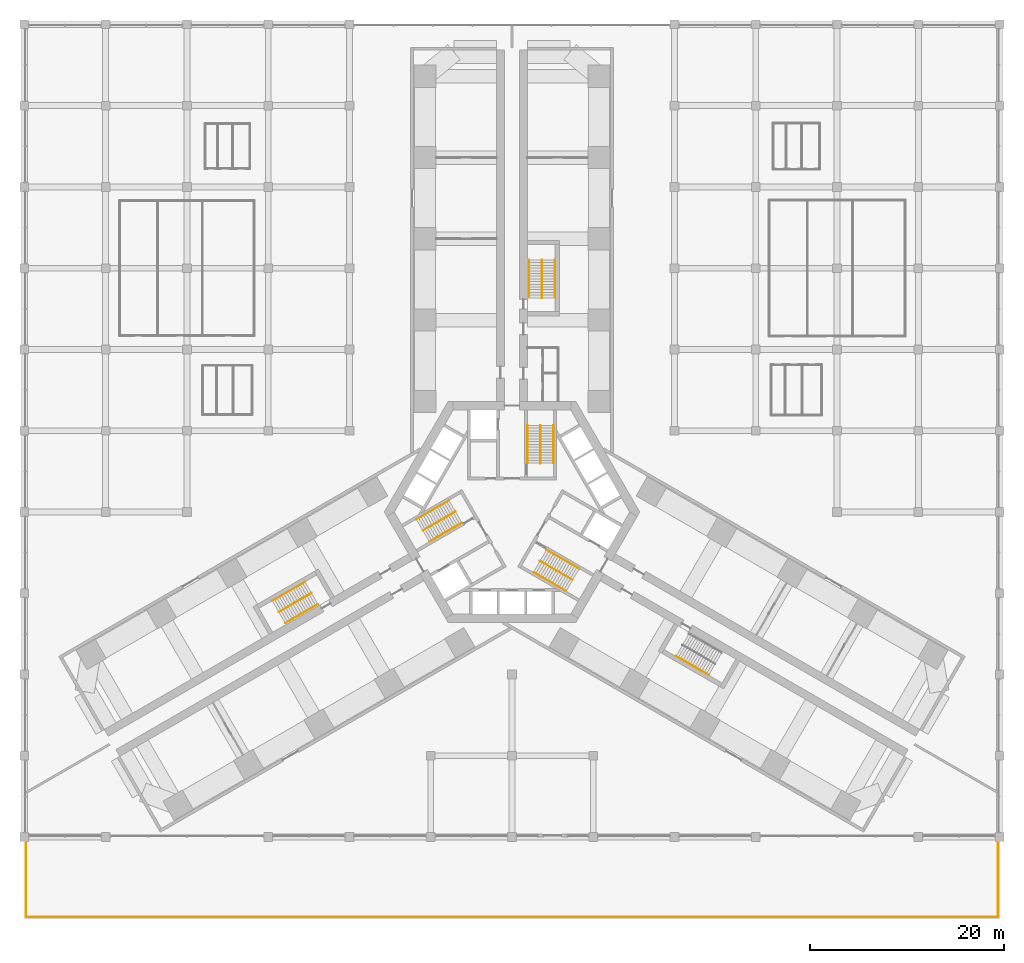
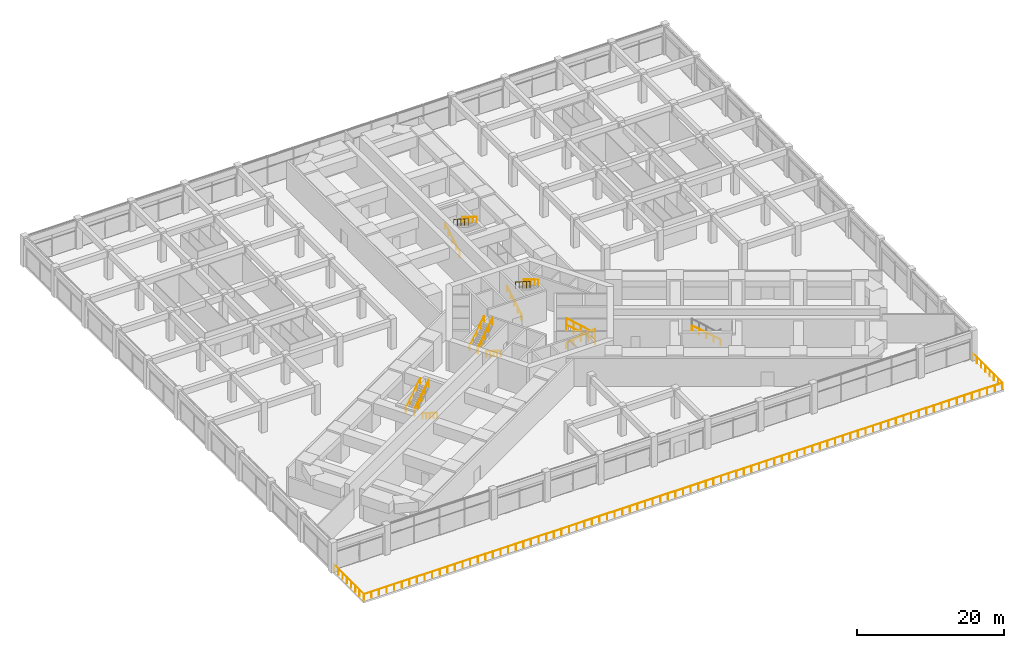
# One storey, part 35 of 36: 17 railings.
"""IFC4 building model written with IfcOpenShell, lengths in metres."""

from ifc_helpers import new_model, si_unit, direction, frame, origin, origin_2d, place, context, subcontext, project, spatial, circle, extrude, material, type_object, element, save


model = new_model("IFC4")

# Units and contexts
model_context = context("Model", 3, precision=1e-05, world=origin(), true_north=direction((0.0, 1.0)))
body_context = subcontext(model_context, "Body", "Model", "MODEL_VIEW")
ifc_project = project(units=[si_unit("LENGTHUNIT", "METRE"), si_unit("AREAUNIT", "SQUARE_METRE"), si_unit("VOLUMEUNIT", "CUBIC_METRE"), si_unit("PLANEANGLEUNIT", "RADIAN"), si_unit("MASSUNIT", "GRAM", prefix="KILO")], contexts=[model_context])

# Site, building, storey
site_placement = place(None, origin())
site = spatial("IfcSite", under=ifc_project, at=site_placement, CompositionType="ELEMENT")
building_placement = place(site_placement, origin())
building = spatial("IfcBuilding", under=site, at=building_placement, Name="Impinga Residences", CompositionType="ELEMENT")
storey_placement = place(building_placement, frame((0.0, 0.0, 6.0)))
storey = spatial("IfcBuildingStorey", under=building, at=storey_placement, Name="L01", CompositionType="ELEMENT", Elevation=6.0)

# Railings
ifc_material_1 = material(Name="Steel guard, powder coated", Category="steel")
railing_type_1 = type_object("IfcRailingType", Name="GR1 stair guard 1100", PredefinedType="GUARDRAIL", material=ifc_material_1)
railing_1_placement = place(storey_placement, frame((2.949951171875, 8.949951171875, 2.5)))
element("IfcRailing", 1, at=railing_1_placement, inside=storey, type_object=railing_type_1, Name="Stair guard GR1 ST1 L01", PredefinedType="GUARDRAIL", context=body_context, shape_type="SweptSolid", body=[
    extrude(circle(Radius=0.02392578125, at=origin_2d()), frame((0.0, 0.0, 1.076171875), z_axis=(0.0, -0.843124831705, 0.537717879712), x_axis=(1.0, 0.0, 0.0)), (0.0, 0.0, 1.0), 4.649169921875),
    extrude(circle(Radius=0.02099609375, at=origin_2d()), origin(), (0.0, 0.0, 1.0), 1.052001953125),
    extrude(circle(Radius=0.02099609375, at=origin_2d()), frame((0.0, -0.97998046875, 0.625)), (0.0, 0.0, 1.0), 1.052001953125),
    extrude(circle(Radius=0.02099609375, at=origin_2d()), frame((0.0, -1.9599609375, 1.25)), (0.0, 0.0, 1.0), 1.052001953125),
    extrude(circle(Radius=0.02099609375, at=origin_2d()), frame((0.0, -2.93994140625, 1.875)), (0.0, 0.0, 1.0), 1.052001953125),
    extrude(circle(Radius=0.02099609375, at=origin_2d()), frame((0.0, -3.919921875, 2.5)), (0.0, 0.0, 1.0), 1.052001953125),
])
railing_2_placement = place(storey_placement, frame((-9.225830078125, -1.920166015625, 2.5)))
element("IfcRailing", 2, at=railing_2_placement, inside=storey, type_object=railing_type_1, Name="Stair guard GR1 ST2 L01", PredefinedType="GUARDRAIL", context=body_context, shape_type="SweptSolid", body=[
    extrude(circle(Radius=0.02392578125, at=origin_2d()), frame((0.0, 0.0, 1.076171875), z_axis=(0.730169879136, 0.421560862259, 0.537715898048), x_axis=(-0.499997407846, 0.86602690036, 0.0)), (0.0, 0.0, 1.0), 4.6494140625),
    extrude(circle(Radius=0.02099609375, at=origin_2d()), origin(), (0.0, 0.0, 1.0), 1.052001953125),
    extrude(circle(Radius=0.02099609375, at=origin_2d()), frame((0.8486328125, 0.489990234375, 0.625)), (0.0, 0.0, 1.0), 1.052001953125),
    extrude(circle(Radius=0.02099609375, at=origin_2d()), frame((1.697265625, 0.97998046875, 1.25)), (0.0, 0.0, 1.0), 1.052001953125),
    extrude(circle(Radius=0.02099609375, at=origin_2d()), frame((2.546142578125, 1.469970703125, 1.875)), (0.0, 0.0, 1.0), 1.052001953125),
    extrude(circle(Radius=0.02099609375, at=origin_2d()), frame((3.394775390625, 1.9599609375, 2.5)), (0.0, 0.0, 1.0), 1.052001953125),
])
railing_3_placement = place(storey_placement, frame((6.27587890625, -7.02978515625, 2.5)))
element("IfcRailing", 3, at=railing_3_placement, inside=storey, type_object=railing_type_1, Name="Stair guard GR1 ST3 L01", PredefinedType="GUARDRAIL", context=body_context, shape_type="SweptSolid", body=[
    extrude(circle(Radius=0.02392578125, at=origin_2d()), frame((0.0, 0.0, 1.076171875), z_axis=(-0.730169879136, 0.421560862259, 0.537715898048), x_axis=(-0.499997407846, -0.86602690036, 0.0)), (0.0, 0.0, 1.0), 4.6494140625),
    extrude(circle(Radius=0.02099609375, at=origin_2d()), origin(), (0.0, 0.0, 1.0), 1.052001953125),
    extrude(circle(Radius=0.02099609375, at=origin_2d()), frame((-0.8486328125, 0.489990234375, 0.625)), (0.0, 0.0, 1.0), 1.052001953125),
    extrude(circle(Radius=0.02099609375, at=origin_2d()), frame((-1.697265625, 0.97998046875, 1.25)), (0.0, 0.0, 1.0), 1.052001953125),
    extrude(circle(Radius=0.02099609375, at=origin_2d()), frame((-2.546142578125, 1.469970703125, 1.875)), (0.0, 0.0, 1.0), 1.052001953125),
    extrude(circle(Radius=0.02099609375, at=origin_2d()), frame((-3.394775390625, 1.9599609375, 2.5)), (0.0, 0.0, 1.0), 1.052001953125),
])
railing_4_placement = place(storey_placement, frame((3.10009765625, 26.051513671875, 2.5)))
element("IfcRailing", 4, at=railing_4_placement, inside=storey, type_object=railing_type_1, Name="Stair guard GR1 WS1 L01", PredefinedType="GUARDRAIL", context=body_context, shape_type="SweptSolid", body=[
    extrude(circle(Radius=0.02392578125, at=origin_2d()), frame((0.0, 0.0, 1.076171875), z_axis=(0.0, -0.843124831705, 0.537717879712), x_axis=(1.0, 0.0, 0.0)), (0.0, 0.0, 1.0), 4.649169921875),
    extrude(circle(Radius=0.02099609375, at=origin_2d()), origin(), (0.0, 0.0, 1.0), 1.052001953125),
    extrude(circle(Radius=0.02099609375, at=origin_2d()), frame((0.0, -0.97998046875, 0.625)), (0.0, 0.0, 1.0), 1.052001953125),
    extrude(circle(Radius=0.02099609375, at=origin_2d()), frame((0.0, -1.9599609375, 1.25)), (0.0, 0.0, 1.0), 1.052001953125),
    extrude(circle(Radius=0.02099609375, at=origin_2d()), frame((0.0, -2.93994140625, 1.875)), (0.0, 0.0, 1.0), 1.052001953125),
    extrude(circle(Radius=0.02099609375, at=origin_2d()), frame((0.0, -3.919921875, 2.5)), (0.0, 0.0, 1.0), 1.052001953125),
])
railing_5_placement = place(storey_placement, frame((-24.111328125, -10.341064453125, 2.5)))
element("IfcRailing", 5, at=railing_5_placement, inside=storey, type_object=railing_type_1, Name="Stair guard GR1 WS2 L01", PredefinedType="GUARDRAIL", context=body_context, shape_type="SweptSolid", body=[
    extrude(circle(Radius=0.02392578125, at=origin_2d()), frame((0.0, 0.0, 1.076171875), z_axis=(0.730169879136, 0.421560862259, 0.537715898048), x_axis=(-0.499997407846, 0.86602690036, 0.0)), (0.0, 0.0, 1.0), 4.6494140625),
    extrude(circle(Radius=0.02099609375, at=origin_2d()), origin(), (0.0, 0.0, 1.0), 1.052001953125),
    extrude(circle(Radius=0.02099609375, at=origin_2d()), frame((0.8486328125, 0.489990234375, 0.625)), (0.0, 0.0, 1.0), 1.052001953125),
    extrude(circle(Radius=0.02099609375, at=origin_2d()), frame((1.697265625, 0.97998046875, 1.25)), (0.0, 0.0, 1.0), 1.052001953125),
    extrude(circle(Radius=0.02099609375, at=origin_2d()), frame((2.546142578125, 1.469970703125, 1.875)), (0.0, 0.0, 1.0), 1.052001953125),
    extrude(circle(Radius=0.02099609375, at=origin_2d()), frame((3.394775390625, 1.9599609375, 2.5)), (0.0, 0.0, 1.0), 1.052001953125),
])
ifc_material_2 = material(Name="Laminated glass guard, stainless steel top rail", Category="steel")
railing_type_2 = type_object("IfcRailingType", Name="GT1 terrace guard 1100, glass infill", PredefinedType="GUARDRAIL", material=ifc_material_2)
railing_6_placement = place(storey_placement, frame((50.25, -33.7509765625, 0.0)))
element("IfcRailing", 6, at=railing_6_placement, inside=storey, type_object=railing_type_2, Name="Terrace guard GT1 L01", PredefinedType="GUARDRAIL", context=body_context, shape_type="SweptSolid", body=[
    extrude(circle(Radius=0.02392578125, at=origin_2d()), frame((0.0, 0.0, 1.076171875), z_axis=(0.0, -1.0, 0.0), x_axis=(1.0, 0.0, 0.0)), (0.0, 0.0, 1.0), 8.09912109375),
    extrude(circle(Radius=0.02392578125, at=origin_2d()), frame((0.0, -8.09912109375, 1.076171875), z_axis=(-1.0, 0.0, 0.0), x_axis=(0.0, -1.0, 0.0)), (0.0, 0.0, 1.0), 100.5),
    extrude(circle(Radius=0.02392578125, at=origin_2d()), frame((-100.5, -8.09912109375, 1.076171875), z_axis=(0.0, 1.0, 0.0), x_axis=(-1.0, 0.0, 0.0)), (0.0, 0.0, 1.0), 8.09912109375),
    extrude(circle(Radius=0.02099609375, at=origin_2d()), origin(), (0.0, 0.0, 1.0), 1.052001953125),
    extrude(circle(Radius=0.02099609375, at=origin_2d()), frame((0.0, -1.156982421875, 0.0)), (0.0, 0.0, 1.0), 1.052001953125),
    extrude(circle(Radius=0.02099609375, at=origin_2d()), frame((0.0, -2.31396484375, 0.0)), (0.0, 0.0, 1.0), 1.052001953125),
    extrude(circle(Radius=0.02099609375, at=origin_2d()), frame((0.0, -3.470947265625, 0.0)), (0.0, 0.0, 1.0), 1.052001953125),
    extrude(circle(Radius=0.02099609375, at=origin_2d()), frame((0.0, -4.628173828125, 0.0)), (0.0, 0.0, 1.0), 1.052001953125),
    extrude(circle(Radius=0.02099609375, at=origin_2d()), frame((0.0, -5.78515625, 0.0)), (0.0, 0.0, 1.0), 1.052001953125),
    extrude(circle(Radius=0.02099609375, at=origin_2d()), frame((0.0, -6.942138671875, 0.0)), (0.0, 0.0, 1.0), 1.052001953125),
    extrude(circle(Radius=0.02099609375, at=origin_2d()), frame((0.0, -8.09912109375, 0.0)), (0.0, 0.0, 1.0), 1.052001953125),
    extrude(circle(Radius=0.02099609375, at=origin_2d()), frame((-1.196533203125, -8.09912109375, 0.0)), (0.0, 0.0, 1.0), 1.052001953125),
    extrude(circle(Radius=0.02099609375, at=origin_2d()), frame((-2.392822265625, -8.09912109375, 0.0)), (0.0, 0.0, 1.0), 1.052001953125),
    extrude(circle(Radius=0.02099609375, at=origin_2d()), frame((-3.58935546875, -8.09912109375, 0.0)), (0.0, 0.0, 1.0), 1.052001953125),
    extrude(circle(Radius=0.02099609375, at=origin_2d()), frame((-4.78564453125, -8.09912109375, 0.0)), (0.0, 0.0, 1.0), 1.052001953125),
    extrude(circle(Radius=0.02099609375, at=origin_2d()), frame((-5.982177734375, -8.09912109375, 0.0)), (0.0, 0.0, 1.0), 1.052001953125),
    extrude(circle(Radius=0.02099609375, at=origin_2d()), frame((-7.178466796875, -8.09912109375, 0.0)), (0.0, 0.0, 1.0), 1.052001953125),
    extrude(circle(Radius=0.02099609375, at=origin_2d()), frame((-8.375, -8.09912109375, 0.0)), (0.0, 0.0, 1.0), 1.052001953125),
    extrude(circle(Radius=0.02099609375, at=origin_2d()), frame((-9.571533203125, -8.09912109375, 0.0)), (0.0, 0.0, 1.0), 1.052001953125),
    extrude(circle(Radius=0.02099609375, at=origin_2d()), frame((-10.767822265625, -8.09912109375, 0.0)), (0.0, 0.0, 1.0), 1.052001953125),
    extrude(circle(Radius=0.02099609375, at=origin_2d()), frame((-11.96435546875, -8.09912109375, 0.0)), (0.0, 0.0, 1.0), 1.052001953125),
    extrude(circle(Radius=0.02099609375, at=origin_2d()), frame((-13.16064453125, -8.09912109375, 0.0)), (0.0, 0.0, 1.0), 1.052001953125),
    extrude(circle(Radius=0.02099609375, at=origin_2d()), frame((-14.357177734375, -8.09912109375, 0.0)), (0.0, 0.0, 1.0), 1.052001953125),
    extrude(circle(Radius=0.02099609375, at=origin_2d()), frame((-15.553466796875, -8.09912109375, 0.0)), (0.0, 0.0, 1.0), 1.052001953125),
    extrude(circle(Radius=0.02099609375, at=origin_2d()), frame((-16.75, -8.09912109375, 0.0)), (0.0, 0.0, 1.0), 1.052001953125),
    extrude(circle(Radius=0.02099609375, at=origin_2d()), frame((-17.946533203125, -8.09912109375, 0.0)), (0.0, 0.0, 1.0), 1.052001953125),
    extrude(circle(Radius=0.02099609375, at=origin_2d()), frame((-19.142822265625, -8.09912109375, 0.0)), (0.0, 0.0, 1.0), 1.052001953125),
    extrude(circle(Radius=0.02099609375, at=origin_2d()), frame((-20.33935546875, -8.09912109375, 0.0)), (0.0, 0.0, 1.0), 1.052001953125),
    extrude(circle(Radius=0.02099609375, at=origin_2d()), frame((-21.53564453125, -8.09912109375, 0.0)), (0.0, 0.0, 1.0), 1.052001953125),
    extrude(circle(Radius=0.02099609375, at=origin_2d()), frame((-22.732177734375, -8.09912109375, 0.0)), (0.0, 0.0, 1.0), 1.052001953125),
    extrude(circle(Radius=0.02099609375, at=origin_2d()), frame((-23.928466796875, -8.09912109375, 0.0)), (0.0, 0.0, 1.0), 1.052001953125),
    extrude(circle(Radius=0.02099609375, at=origin_2d()), frame((-25.125, -8.09912109375, 0.0)), (0.0, 0.0, 1.0), 1.052001953125),
    extrude(circle(Radius=0.02099609375, at=origin_2d()), frame((-26.321533203125, -8.09912109375, 0.0)), (0.0, 0.0, 1.0), 1.052001953125),
    extrude(circle(Radius=0.02099609375, at=origin_2d()), frame((-27.517822265625, -8.09912109375, 0.0)), (0.0, 0.0, 1.0), 1.052001953125),
    extrude(circle(Radius=0.02099609375, at=origin_2d()), frame((-28.71435546875, -8.09912109375, 0.0)), (0.0, 0.0, 1.0), 1.052001953125),
    extrude(circle(Radius=0.02099609375, at=origin_2d()), frame((-29.91064453125, -8.09912109375, 0.0)), (0.0, 0.0, 1.0), 1.052001953125),
    extrude(circle(Radius=0.02099609375, at=origin_2d()), frame((-31.107177734375, -8.09912109375, 0.0)), (0.0, 0.0, 1.0), 1.052001953125),
    extrude(circle(Radius=0.02099609375, at=origin_2d()), frame((-32.303466796875, -8.09912109375, 0.0)), (0.0, 0.0, 1.0), 1.052001953125),
    extrude(circle(Radius=0.02099609375, at=origin_2d()), frame((-33.5, -8.09912109375, 0.0)), (0.0, 0.0, 1.0), 1.052001953125),
    extrude(circle(Radius=0.02099609375, at=origin_2d()), frame((-34.696533203125, -8.09912109375, 0.0)), (0.0, 0.0, 1.0), 1.052001953125),
    extrude(circle(Radius=0.02099609375, at=origin_2d()), frame((-35.892822265625, -8.09912109375, 0.0)), (0.0, 0.0, 1.0), 1.052001953125),
    extrude(circle(Radius=0.02099609375, at=origin_2d()), frame((-37.08935546875, -8.09912109375, 0.0)), (0.0, 0.0, 1.0), 1.052001953125),
    extrude(circle(Radius=0.02099609375, at=origin_2d()), frame((-38.28564453125, -8.09912109375, 0.0)), (0.0, 0.0, 1.0), 1.052001953125),
    extrude(circle(Radius=0.02099609375, at=origin_2d()), frame((-39.482177734375, -8.09912109375, 0.0)), (0.0, 0.0, 1.0), 1.052001953125),
    extrude(circle(Radius=0.02099609375, at=origin_2d()), frame((-40.678466796875, -8.09912109375, 0.0)), (0.0, 0.0, 1.0), 1.052001953125),
    extrude(circle(Radius=0.02099609375, at=origin_2d()), frame((-41.875, -8.09912109375, 0.0)), (0.0, 0.0, 1.0), 1.052001953125),
    extrude(circle(Radius=0.02099609375, at=origin_2d()), frame((-43.071533203125, -8.09912109375, 0.0)), (0.0, 0.0, 1.0), 1.052001953125),
    extrude(circle(Radius=0.02099609375, at=origin_2d()), frame((-44.267822265625, -8.09912109375, 0.0)), (0.0, 0.0, 1.0), 1.052001953125),
    extrude(circle(Radius=0.02099609375, at=origin_2d()), frame((-45.46435546875, -8.09912109375, 0.0)), (0.0, 0.0, 1.0), 1.052001953125),
    extrude(circle(Radius=0.02099609375, at=origin_2d()), frame((-46.66064453125, -8.09912109375, 0.0)), (0.0, 0.0, 1.0), 1.052001953125),
    extrude(circle(Radius=0.02099609375, at=origin_2d()), frame((-47.857177734375, -8.09912109375, 0.0)), (0.0, 0.0, 1.0), 1.052001953125),
    extrude(circle(Radius=0.02099609375, at=origin_2d()), frame((-49.053466796875, -8.09912109375, 0.0)), (0.0, 0.0, 1.0), 1.052001953125),
    extrude(circle(Radius=0.02099609375, at=origin_2d()), frame((-50.25, -8.09912109375, 0.0)), (0.0, 0.0, 1.0), 1.052001953125),
    extrude(circle(Radius=0.02099609375, at=origin_2d()), frame((-51.446533203125, -8.09912109375, 0.0)), (0.0, 0.0, 1.0), 1.052001953125),
    extrude(circle(Radius=0.02099609375, at=origin_2d()), frame((-52.642822265625, -8.09912109375, 0.0)), (0.0, 0.0, 1.0), 1.052001953125),
    extrude(circle(Radius=0.02099609375, at=origin_2d()), frame((-53.83935546875, -8.09912109375, 0.0)), (0.0, 0.0, 1.0), 1.052001953125),
    extrude(circle(Radius=0.02099609375, at=origin_2d()), frame((-55.03564453125, -8.09912109375, 0.0)), (0.0, 0.0, 1.0), 1.052001953125),
    extrude(circle(Radius=0.02099609375, at=origin_2d()), frame((-56.232177734375, -8.09912109375, 0.0)), (0.0, 0.0, 1.0), 1.052001953125),
    extrude(circle(Radius=0.02099609375, at=origin_2d()), frame((-57.428466796875, -8.09912109375, 0.0)), (0.0, 0.0, 1.0), 1.052001953125),
    extrude(circle(Radius=0.02099609375, at=origin_2d()), frame((-58.625, -8.09912109375, 0.0)), (0.0, 0.0, 1.0), 1.052001953125),
    extrude(circle(Radius=0.02099609375, at=origin_2d()), frame((-59.821533203125, -8.09912109375, 0.0)), (0.0, 0.0, 1.0), 1.052001953125),
    extrude(circle(Radius=0.02099609375, at=origin_2d()), frame((-61.017822265625, -8.09912109375, 0.0)), (0.0, 0.0, 1.0), 1.052001953125),
    extrude(circle(Radius=0.02099609375, at=origin_2d()), frame((-62.21435546875, -8.09912109375, 0.0)), (0.0, 0.0, 1.0), 1.052001953125),
    extrude(circle(Radius=0.02099609375, at=origin_2d()), frame((-63.41064453125, -8.09912109375, 0.0)), (0.0, 0.0, 1.0), 1.052001953125),
    extrude(circle(Radius=0.02099609375, at=origin_2d()), frame((-64.607177734375, -8.09912109375, 0.0)), (0.0, 0.0, 1.0), 1.052001953125),
    extrude(circle(Radius=0.02099609375, at=origin_2d()), frame((-65.803466796875, -8.09912109375, 0.0)), (0.0, 0.0, 1.0), 1.052001953125),
    extrude(circle(Radius=0.02099609375, at=origin_2d()), frame((-67.0, -8.09912109375, 0.0)), (0.0, 0.0, 1.0), 1.052001953125),
    extrude(circle(Radius=0.02099609375, at=origin_2d()), frame((-68.196533203125, -8.09912109375, 0.0)), (0.0, 0.0, 1.0), 1.052001953125),
    extrude(circle(Radius=0.02099609375, at=origin_2d()), frame((-69.392822265625, -8.09912109375, 0.0)), (0.0, 0.0, 1.0), 1.052001953125),
    extrude(circle(Radius=0.02099609375, at=origin_2d()), frame((-70.58935546875, -8.09912109375, 0.0)), (0.0, 0.0, 1.0), 1.052001953125),
    extrude(circle(Radius=0.02099609375, at=origin_2d()), frame((-71.78564453125, -8.09912109375, 0.0)), (0.0, 0.0, 1.0), 1.052001953125),
    extrude(circle(Radius=0.02099609375, at=origin_2d()), frame((-72.982177734375, -8.09912109375, 0.0)), (0.0, 0.0, 1.0), 1.052001953125),
    extrude(circle(Radius=0.02099609375, at=origin_2d()), frame((-74.178466796875, -8.09912109375, 0.0)), (0.0, 0.0, 1.0), 1.052001953125),
    extrude(circle(Radius=0.02099609375, at=origin_2d()), frame((-75.375, -8.09912109375, 0.0)), (0.0, 0.0, 1.0), 1.052001953125),
    extrude(circle(Radius=0.02099609375, at=origin_2d()), frame((-76.571533203125, -8.09912109375, 0.0)), (0.0, 0.0, 1.0), 1.052001953125),
    extrude(circle(Radius=0.02099609375, at=origin_2d()), frame((-77.767822265625, -8.09912109375, 0.0)), (0.0, 0.0, 1.0), 1.052001953125),
    extrude(circle(Radius=0.02099609375, at=origin_2d()), frame((-78.96435546875, -8.09912109375, 0.0)), (0.0, 0.0, 1.0), 1.052001953125),
    extrude(circle(Radius=0.02099609375, at=origin_2d()), frame((-80.16064453125, -8.09912109375, 0.0)), (0.0, 0.0, 1.0), 1.052001953125),
    extrude(circle(Radius=0.02099609375, at=origin_2d()), frame((-81.357177734375, -8.09912109375, 0.0)), (0.0, 0.0, 1.0), 1.052001953125),
    extrude(circle(Radius=0.02099609375, at=origin_2d()), frame((-82.553466796875, -8.09912109375, 0.0)), (0.0, 0.0, 1.0), 1.052001953125),
    extrude(circle(Radius=0.02099609375, at=origin_2d()), frame((-83.75, -8.09912109375, 0.0)), (0.0, 0.0, 1.0), 1.052001953125),
    extrude(circle(Radius=0.02099609375, at=origin_2d()), frame((-84.946533203125, -8.09912109375, 0.0)), (0.0, 0.0, 1.0), 1.052001953125),
    extrude(circle(Radius=0.02099609375, at=origin_2d()), frame((-86.142822265625, -8.09912109375, 0.0)), (0.0, 0.0, 1.0), 1.052001953125),
    extrude(circle(Radius=0.02099609375, at=origin_2d()), frame((-87.33935546875, -8.09912109375, 0.0)), (0.0, 0.0, 1.0), 1.052001953125),
    extrude(circle(Radius=0.02099609375, at=origin_2d()), frame((-88.53564453125, -8.09912109375, 0.0)), (0.0, 0.0, 1.0), 1.052001953125),
    extrude(circle(Radius=0.02099609375, at=origin_2d()), frame((-89.732177734375, -8.09912109375, 0.0)), (0.0, 0.0, 1.0), 1.052001953125),
    extrude(circle(Radius=0.02099609375, at=origin_2d()), frame((-90.928466796875, -8.09912109375, 0.0)), (0.0, 0.0, 1.0), 1.052001953125),
    extrude(circle(Radius=0.02099609375, at=origin_2d()), frame((-92.125, -8.09912109375, 0.0)), (0.0, 0.0, 1.0), 1.052001953125),
    extrude(circle(Radius=0.02099609375, at=origin_2d()), frame((-93.321533203125, -8.09912109375, 0.0)), (0.0, 0.0, 1.0), 1.052001953125),
    extrude(circle(Radius=0.02099609375, at=origin_2d()), frame((-94.517822265625, -8.09912109375, 0.0)), (0.0, 0.0, 1.0), 1.052001953125),
    extrude(circle(Radius=0.02099609375, at=origin_2d()), frame((-95.71435546875, -8.09912109375, 0.0)), (0.0, 0.0, 1.0), 1.052001953125),
    extrude(circle(Radius=0.02099609375, at=origin_2d()), frame((-96.91064453125, -8.09912109375, 0.0)), (0.0, 0.0, 1.0), 1.052001953125),
    extrude(circle(Radius=0.02099609375, at=origin_2d()), frame((-98.107177734375, -8.09912109375, 0.0)), (0.0, 0.0, 1.0), 1.052001953125),
    extrude(circle(Radius=0.02099609375, at=origin_2d()), frame((-99.303466796875, -8.09912109375, 0.0)), (0.0, 0.0, 1.0), 1.052001953125),
    extrude(circle(Radius=0.02099609375, at=origin_2d()), frame((-100.5, -8.09912109375, 0.0)), (0.0, 0.0, 1.0), 1.052001953125),
    extrude(circle(Radius=0.02099609375, at=origin_2d()), frame((-100.5, -6.942138671875, 0.0)), (0.0, 0.0, 1.0), 1.052001953125),
    extrude(circle(Radius=0.02099609375, at=origin_2d()), frame((-100.5, -5.78515625, 0.0)), (0.0, 0.0, 1.0), 1.052001953125),
    extrude(circle(Radius=0.02099609375, at=origin_2d()), frame((-100.5, -4.628173828125, 0.0)), (0.0, 0.0, 1.0), 1.052001953125),
    extrude(circle(Radius=0.02099609375, at=origin_2d()), frame((-100.5, -3.470947265625, 0.0)), (0.0, 0.0, 1.0), 1.052001953125),
    extrude(circle(Radius=0.02099609375, at=origin_2d()), frame((-100.5, -2.31396484375, 0.0)), (0.0, 0.0, 1.0), 1.052001953125),
    extrude(circle(Radius=0.02099609375, at=origin_2d()), frame((-100.5, -1.156982421875, 0.0)), (0.0, 0.0, 1.0), 1.052001953125),
    extrude(circle(Radius=0.02099609375, at=origin_2d()), frame((-100.5, 0.0, 0.0)), (0.0, 0.0, 1.0), 1.052001953125),
])
ifc_material_3 = material(Name="Steel handrail tube 42 mm, powder coated", Category="steel")
railing_type_3 = type_object("IfcRailingType", Name="HR1 stair handrail, 42 mm steel tube, 900 above the pitch line", PredefinedType="HANDRAIL", material=ifc_material_3)
railing_7_placement = place(storey_placement, frame((1.62109375, 5.030029296875, 0.166748046875)))
element("IfcRailing", 7, at=railing_7_placement, inside=storey, type_object=railing_type_3, Name="Stair handrail HR1 ST1 L01", PredefinedType="HANDRAIL", context=body_context, shape_type="SweptSolid", body=[
    extrude(circle(Radius=0.02099609375, at=origin_2d()), frame((0.0, 0.0, 0.87890625), z_axis=(0.0, 0.859296244711, 0.511478214419), x_axis=(-1.0, 0.0, 0.0)), (0.0, 0.0, 1.0), 4.561767578125),
    extrude(circle(Radius=0.012451171875, at=origin_2d()), origin(), (0.0, 0.0, 1.0), 0.85791015625),
    extrude(circle(Radius=0.012451171875, at=origin_2d()), frame((0.0, 0.97998046875, 0.583251953125)), (0.0, 0.0, 1.0), 0.85791015625),
    extrude(circle(Radius=0.012451171875, at=origin_2d()), frame((0.0, 1.9599609375, 1.16650390625)), (0.0, 0.0, 1.0), 0.85791015625),
    extrude(circle(Radius=0.012451171875, at=origin_2d()), frame((0.0, 2.93994140625, 1.75)), (0.0, 0.0, 1.0), 0.85791015625),
    extrude(circle(Radius=0.012451171875, at=origin_2d()), frame((0.0, 3.919921875, 2.333251953125)), (0.0, 0.0, 1.0), 0.85791015625),
])
railing_8_placement = place(storey_placement, frame((4.279052734375, 8.949951171875, 2.666748046875)))
element("IfcRailing", 8, at=railing_8_placement, inside=storey, type_object=railing_type_3, Name="Stair handrail HR1 ST1 L01", PredefinedType="HANDRAIL", context=body_context, shape_type="SweptSolid", body=[
    extrude(circle(Radius=0.02099609375, at=origin_2d()), frame((0.0, 0.0, 0.87890625), z_axis=(0.0, -0.859296244711, 0.511478214419), x_axis=(1.0, 0.0, 0.0)), (0.0, 0.0, 1.0), 4.561767578125),
    extrude(circle(Radius=0.012451171875, at=origin_2d()), origin(), (0.0, 0.0, 1.0), 0.85791015625),
    extrude(circle(Radius=0.012451171875, at=origin_2d()), frame((0.0, -0.97998046875, 0.583251953125)), (0.0, 0.0, 1.0), 0.85791015625),
    extrude(circle(Radius=0.012451171875, at=origin_2d()), frame((0.0, -1.9599609375, 1.16650390625)), (0.0, 0.0, 1.0), 0.85791015625),
    extrude(circle(Radius=0.012451171875, at=origin_2d()), frame((0.0, -2.93994140625, 1.75)), (0.0, 0.0, 1.0), 0.85791015625),
    extrude(circle(Radius=0.012451171875, at=origin_2d()), frame((0.0, -3.919921875, 2.333251953125)), (0.0, 0.0, 1.0), 0.85791015625),
])
railing_9_placement = place(storey_placement, frame((-5.16650390625, -1.111083984375, 0.166748046875)))
element("IfcRailing", 9, at=railing_9_placement, inside=storey, type_object=railing_type_3, Name="Stair handrail HR1 ST2 L01", PredefinedType="HANDRAIL", context=body_context, shape_type="SweptSolid", body=[
    extrude(circle(Radius=0.02099609375, at=origin_2d()), frame((0.0, 0.0, 0.87890625), z_axis=(-0.744181440101, -0.429673003205, 0.511444126495), x_axis=(0.500017148795, -0.866015502696, 0.0)), (0.0, 0.0, 1.0), 4.56201171875),
    extrude(circle(Radius=0.012451171875, at=origin_2d()), origin(), (0.0, 0.0, 1.0), 0.85791015625),
    extrude(circle(Radius=0.012451171875, at=origin_2d()), frame((-0.8486328125, -0.489990234375, 0.583251953125)), (0.0, 0.0, 1.0), 0.85791015625),
    extrude(circle(Radius=0.012451171875, at=origin_2d()), frame((-1.697509765625, -0.97998046875, 1.16650390625)), (0.0, 0.0, 1.0), 0.85791015625),
    extrude(circle(Radius=0.012451171875, at=origin_2d()), frame((-2.54638671875, -1.47021484375, 1.75)), (0.0, 0.0, 1.0), 0.85791015625),
    extrude(circle(Radius=0.012451171875, at=origin_2d()), frame((-3.39501953125, -1.960205078125, 2.333251953125)), (0.0, 0.0, 1.0), 0.85791015625),
])
railing_10_placement = place(storey_placement, frame((-9.890380859375, -0.769287109375, 2.666748046875)))
element("IfcRailing", 10, at=railing_10_placement, inside=storey, type_object=railing_type_3, Name="Stair handrail HR1 ST2 L01", PredefinedType="HANDRAIL", context=body_context, shape_type="SweptSolid", body=[
    extrude(circle(Radius=0.02099609375, at=origin_2d()), frame((0.0, 0.0, 0.87890625), z_axis=(0.744174672596, 0.429646477641, 0.511476256455), x_axis=(-0.499997407846, 0.86602690036, 0.0)), (0.0, 0.0, 1.0), 4.561767578125),
    extrude(circle(Radius=0.012451171875, at=origin_2d()), origin(), (0.0, 0.0, 1.0), 0.85791015625),
    extrude(circle(Radius=0.012451171875, at=origin_2d()), frame((0.8486328125, 0.489990234375, 0.583251953125)), (0.0, 0.0, 1.0), 0.85791015625),
    extrude(circle(Radius=0.012451171875, at=origin_2d()), frame((1.697265625, 0.97998046875, 1.16650390625)), (0.0, 0.0, 1.0), 0.85791015625),
    extrude(circle(Radius=0.012451171875, at=origin_2d()), frame((2.546142578125, 1.469970703125, 1.75)), (0.0, 0.0, 1.0), 0.85791015625),
    extrude(circle(Radius=0.012451171875, at=origin_2d()), frame((3.394775390625, 1.9599609375, 2.333251953125)), (0.0, 0.0, 1.0), 0.85791015625),
])
railing_11_placement = place(storey_placement, frame((3.545654296875, -3.9189453125, 0.166748046875)))
element("IfcRailing", 11, at=railing_11_placement, inside=storey, type_object=railing_type_3, Name="Stair handrail HR1 ST3 L01", PredefinedType="HANDRAIL", context=body_context, shape_type="SweptSolid", body=[
    extrude(circle(Radius=0.02099609375, at=origin_2d()), frame((0.0, 0.0, 0.87890625), z_axis=(0.744174672596, -0.429646477641, 0.511476256455), x_axis=(0.499997407846, 0.86602690036, 0.0)), (0.0, 0.0, 1.0), 4.561767578125),
    extrude(circle(Radius=0.012451171875, at=origin_2d()), origin(), (0.0, 0.0, 1.0), 0.85791015625),
    extrude(circle(Radius=0.012451171875, at=origin_2d()), frame((0.8486328125, -0.489990234375, 0.583251953125)), (0.0, 0.0, 1.0), 0.85791015625),
    extrude(circle(Radius=0.012451171875, at=origin_2d()), frame((1.697265625, -0.97998046875, 1.16650390625)), (0.0, 0.0, 1.0), 0.85791015625),
    extrude(circle(Radius=0.012451171875, at=origin_2d()), frame((2.546142578125, -1.469970703125, 1.75)), (0.0, 0.0, 1.0), 0.85791015625),
    extrude(circle(Radius=0.012451171875, at=origin_2d()), frame((3.394775390625, -1.9599609375, 2.333251953125)), (0.0, 0.0, 1.0), 0.85791015625),
])
railing_12_placement = place(storey_placement, frame((5.611328125, -8.1806640625, 2.666748046875)))
element("IfcRailing", 12, at=railing_12_placement, inside=storey, type_object=railing_type_3, Name="Stair handrail HR1 ST3 L01", PredefinedType="HANDRAIL", context=body_context, shape_type="SweptSolid", body=[
    extrude(circle(Radius=0.02099609375, at=origin_2d()), frame((0.0, 0.0, 0.87890625), z_axis=(-0.744174672596, 0.429646477641, 0.511476256455), x_axis=(-0.499997407846, -0.86602690036, 0.0)), (0.0, 0.0, 1.0), 4.561767578125),
    extrude(circle(Radius=0.012451171875, at=origin_2d()), origin(), (0.0, 0.0, 1.0), 0.85791015625),
    extrude(circle(Radius=0.012451171875, at=origin_2d()), frame((-0.8486328125, 0.489990234375, 0.583251953125)), (0.0, 0.0, 1.0), 0.85791015625),
    extrude(circle(Radius=0.012451171875, at=origin_2d()), frame((-1.697265625, 0.97998046875, 1.16650390625)), (0.0, 0.0, 1.0), 0.85791015625),
    extrude(circle(Radius=0.012451171875, at=origin_2d()), frame((-2.546142578125, 1.469970703125, 1.75)), (0.0, 0.0, 1.0), 0.85791015625),
    extrude(circle(Radius=0.012451171875, at=origin_2d()), frame((-3.394775390625, 1.9599609375, 2.333251953125)), (0.0, 0.0, 1.0), 0.85791015625),
])
railing_13_placement = place(storey_placement, frame((1.77099609375, 22.131591796875, 0.166748046875)))
element("IfcRailing", 13, at=railing_13_placement, inside=storey, type_object=railing_type_3, Name="Stair handrail HR1 WS1 L01", PredefinedType="HANDRAIL", context=body_context, shape_type="SweptSolid", body=[
    extrude(circle(Radius=0.02099609375, at=origin_2d()), frame((0.0, 0.0, 0.87890625), z_axis=(0.0, 0.859296244711, 0.511478214419), x_axis=(-1.0, 0.0, 0.0)), (0.0, 0.0, 1.0), 4.561767578125),
    extrude(circle(Radius=0.012451171875, at=origin_2d()), origin(), (0.0, 0.0, 1.0), 0.85791015625),
    extrude(circle(Radius=0.012451171875, at=origin_2d()), frame((0.0, 0.97998046875, 0.583251953125)), (0.0, 0.0, 1.0), 0.85791015625),
    extrude(circle(Radius=0.012451171875, at=origin_2d()), frame((0.0, 1.9599609375, 1.16650390625)), (0.0, 0.0, 1.0), 0.85791015625),
    extrude(circle(Radius=0.012451171875, at=origin_2d()), frame((0.0, 2.93994140625, 1.75)), (0.0, 0.0, 1.0), 0.85791015625),
    extrude(circle(Radius=0.012451171875, at=origin_2d()), frame((0.0, 3.919921875, 2.333251953125)), (0.0, 0.0, 1.0), 0.85791015625),
])
railing_14_placement = place(storey_placement, frame((4.428955078125, 26.051513671875, 2.666748046875)))
element("IfcRailing", 14, at=railing_14_placement, inside=storey, type_object=railing_type_3, Name="Stair handrail HR1 WS1 L01", PredefinedType="HANDRAIL", context=body_context, shape_type="SweptSolid", body=[
    extrude(circle(Radius=0.02099609375, at=origin_2d()), frame((0.0, 0.0, 0.87890625), z_axis=(0.0, -0.859296244711, 0.511478214419), x_axis=(1.0, 0.0, 0.0)), (0.0, 0.0, 1.0), 4.561767578125),
    extrude(circle(Radius=0.012451171875, at=origin_2d()), origin(), (0.0, 0.0, 1.0), 0.85791015625),
    extrude(circle(Radius=0.012451171875, at=origin_2d()), frame((0.0, -0.97998046875, 0.583251953125)), (0.0, 0.0, 1.0), 0.85791015625),
    extrude(circle(Radius=0.012451171875, at=origin_2d()), frame((0.0, -1.9599609375, 1.16650390625)), (0.0, 0.0, 1.0), 0.85791015625),
    extrude(circle(Radius=0.012451171875, at=origin_2d()), frame((0.0, -2.93994140625, 1.75)), (0.0, 0.0, 1.0), 0.85791015625),
    extrude(circle(Radius=0.012451171875, at=origin_2d()), frame((0.0, -3.919921875, 2.333251953125)), (0.0, 0.0, 1.0), 0.85791015625),
])
railing_15_placement = place(storey_placement, frame((-20.052001953125, -9.531982421875, 0.166748046875)))
element("IfcRailing", 15, at=railing_15_placement, inside=storey, type_object=railing_type_3, Name="Stair handrail HR1 WS2 L01", PredefinedType="HANDRAIL", context=body_context, shape_type="SweptSolid", body=[
    extrude(circle(Radius=0.02099609375, at=origin_2d()), frame((0.0, 0.0, 0.87890625), z_axis=(-0.744174672596, -0.429646477641, 0.511476256455), x_axis=(0.499997407846, -0.86602690036, 0.0)), (0.0, 0.0, 1.0), 4.561767578125),
    extrude(circle(Radius=0.012451171875, at=origin_2d()), origin(), (0.0, 0.0, 1.0), 0.85791015625),
    extrude(circle(Radius=0.012451171875, at=origin_2d()), frame((-0.8486328125, -0.489990234375, 0.583251953125)), (0.0, 0.0, 1.0), 0.85791015625),
    extrude(circle(Radius=0.012451171875, at=origin_2d()), frame((-1.697265625, -0.97998046875, 1.16650390625)), (0.0, 0.0, 1.0), 0.85791015625),
    extrude(circle(Radius=0.012451171875, at=origin_2d()), frame((-2.546142578125, -1.469970703125, 1.75)), (0.0, 0.0, 1.0), 0.85791015625),
    extrude(circle(Radius=0.012451171875, at=origin_2d()), frame((-3.394775390625, -1.9599609375, 2.333251953125)), (0.0, 0.0, 1.0), 0.85791015625),
])
railing_16_placement = place(storey_placement, frame((-24.77587890625, -9.190185546875, 2.666748046875)))
element("IfcRailing", 16, at=railing_16_placement, inside=storey, type_object=railing_type_3, Name="Stair handrail HR1 WS2 L01", PredefinedType="HANDRAIL", context=body_context, shape_type="SweptSolid", body=[
    extrude(circle(Radius=0.02099609375, at=origin_2d()), frame((0.0, 0.0, 0.87890625), z_axis=(0.744198551339, 0.429629366471, 0.511455886319), x_axis=(-0.499970440388, 0.866042469362, 0.0)), (0.0, 0.0, 1.0), 4.56201171875),
    extrude(circle(Radius=0.012451171875, at=origin_2d()), origin(), (0.0, 0.0, 1.0), 0.85791015625),
    extrude(circle(Radius=0.012451171875, at=origin_2d()), frame((0.8486328125, 0.489990234375, 0.583251953125)), (0.0, 0.0, 1.0), 0.85791015625),
    extrude(circle(Radius=0.012451171875, at=origin_2d()), frame((1.697509765625, 0.97998046875, 1.16650390625)), (0.0, 0.0, 1.0), 0.85791015625),
    extrude(circle(Radius=0.012451171875, at=origin_2d()), frame((2.54638671875, 1.469970703125, 1.75)), (0.0, 0.0, 1.0), 0.85791015625),
    extrude(circle(Radius=0.012451171875, at=origin_2d()), frame((3.39501953125, 1.9599609375, 2.333251953125)), (0.0, 0.0, 1.0), 0.85791015625),
])
railing_17_placement = place(storey_placement, frame((20.3466796875, -16.861328125, 2.666748046875)))
element("IfcRailing", 17, at=railing_17_placement, inside=storey, type_object=railing_type_3, Name="Stair handrail HR1 WS3 L01", PredefinedType="HANDRAIL", context=body_context, shape_type="SweptSolid", body=[
    extrude(circle(Radius=0.02099609375, at=origin_2d()), frame((0.0, 0.0, 0.87890625), z_axis=(-0.744174672596, 0.429646477641, 0.511476256455), x_axis=(-0.499997407846, -0.86602690036, 0.0)), (0.0, 0.0, 1.0), 4.561767578125),
    extrude(circle(Radius=0.012451171875, at=origin_2d()), origin(), (0.0, 0.0, 1.0), 0.85791015625),
    extrude(circle(Radius=0.012451171875, at=origin_2d()), frame((-0.8486328125, 0.489990234375, 0.583251953125)), (0.0, 0.0, 1.0), 0.85791015625),
    extrude(circle(Radius=0.012451171875, at=origin_2d()), frame((-1.697265625, 0.97998046875, 1.16650390625)), (0.0, 0.0, 1.0), 0.85791015625),
    extrude(circle(Radius=0.012451171875, at=origin_2d()), frame((-2.546142578125, 1.469970703125, 1.75)), (0.0, 0.0, 1.0), 0.85791015625),
    extrude(circle(Radius=0.012451171875, at=origin_2d()), frame((-3.394775390625, 1.9599609375, 2.333251953125)), (0.0, 0.0, 1.0), 0.85791015625),
])

save(model, "model.ifc")
